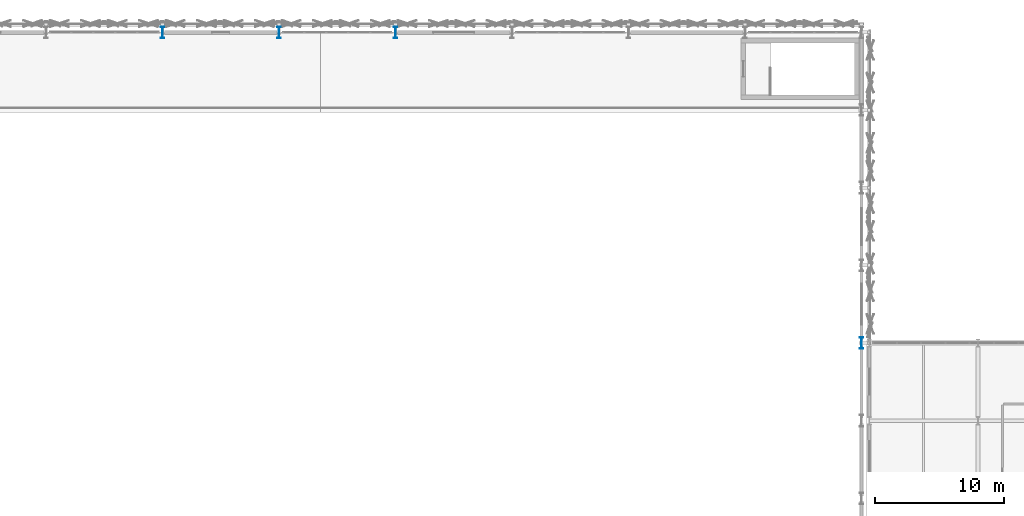
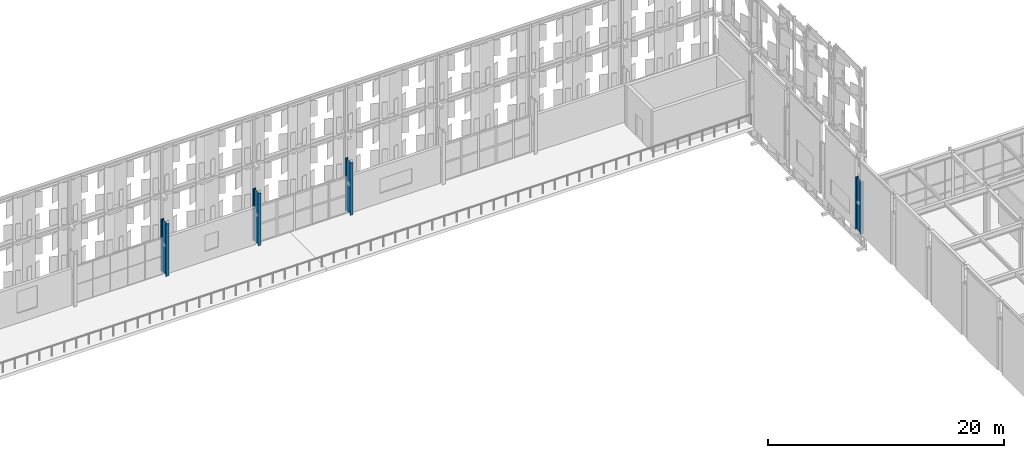
# One storey, part 11 of 210: 4 columns.
"""IFC4 building model written with IfcOpenShell, lengths in metres."""

from ifc_helpers import new_model, si_unit, direction, frame, origin, origin_2d, place, context, subcontext, project, spatial, i_section, extrude, material, material_profile, profile_set, type_object, element, save


model = new_model("IFC4")

# Units and contexts
model_context = context("Model", 3, precision=1e-05, world=origin(), true_north=direction((0.0, 1.0)))
body_context = subcontext(model_context, "Body", "Model", "MODEL_VIEW")
ifc_project = project(units=[si_unit("LENGTHUNIT", "METRE"), si_unit("AREAUNIT", "SQUARE_METRE"), si_unit("VOLUMEUNIT", "CUBIC_METRE"), si_unit("PLANEANGLEUNIT", "RADIAN"), si_unit("MASSUNIT", "GRAM", prefix="KILO")], contexts=[model_context])

# Site, building, storey
site_placement = place(None, origin())
site = spatial("IfcSite", under=ifc_project, at=site_placement, CompositionType="ELEMENT")
building_placement = place(site_placement, origin())
building = spatial("IfcBuilding", under=site, at=building_placement, Name="Kaldris Quays Convention Centre", CompositionType="ELEMENT")
storey_placement = place(building_placement, frame((0.0, 0.0, 6.0)))
storey = spatial("IfcBuildingStorey", under=building, at=storey_placement, Name="L01", CompositionType="ELEMENT", Elevation=6.0)

# Columns
ifc_material = material(Name="Steel S355J2", Category="steel")
ifc_material_profile = material_profile(ifc_material, i_section(OverallWidth=0.300048828125, OverallDepth=0.89990234375, WebThickness=0.0185546875, FlangeThickness=0.034912109375, FilletRadius=0.030029296875, at=origin_2d()), Name="HEB 900")
ifc_profile_set = profile_set([ifc_material_profile], Name="Steel S355J2")
column_type = type_object("IfcColumnType", Name="STRUCTURAL COLUMN CL03", PredefinedType="COLUMN", material=ifc_profile_set)
for number, where, z_axis, x_axis, name in (
    (1, (92.0, 140.0, 0.0), (0.0, 0.0, 1.0), (1.0, 0.0, 0.0), "L01 V1 Column CL03 (92.00, 140.00)"),
    (2, (101.0, 140.0, 0.0), (0.0, 0.0, 1.0), (1.0, 0.0, 0.0), "L01 V1 Column CL03 (101.00, 140.00)"),
    (3, (110.0, 140.0, 0.0), (0.0, 0.0, 1.0), (1.0, 0.0, 0.0), "L01 V1 Column CL03 (110.00, 140.00)"),
    (4, (146.0, 116.0, 0.0), (0.0, 0.0, 1.0), (1.0, 0.0, 0.0), "L01 V1 Column CL03 (146.00, 116.00)"),
):
    element("IfcColumn", number, at=place(storey_placement, frame(where, z_axis=z_axis, x_axis=x_axis)), inside=storey, type_object=column_type, Name=name, PredefinedType="COLUMN", context=body_context, shape_type="SweptSolid", body=[
        extrude(i_section(OverallWidth=0.300048828125, OverallDepth=0.89990234375, WebThickness=0.0185546875, FlangeThickness=0.034912109375, FilletRadius=0.030029296875, at=origin_2d()), origin(), (0.0, 0.0, 1.0), 5.39990234375),
    ])

save(model, "model.ifc")
